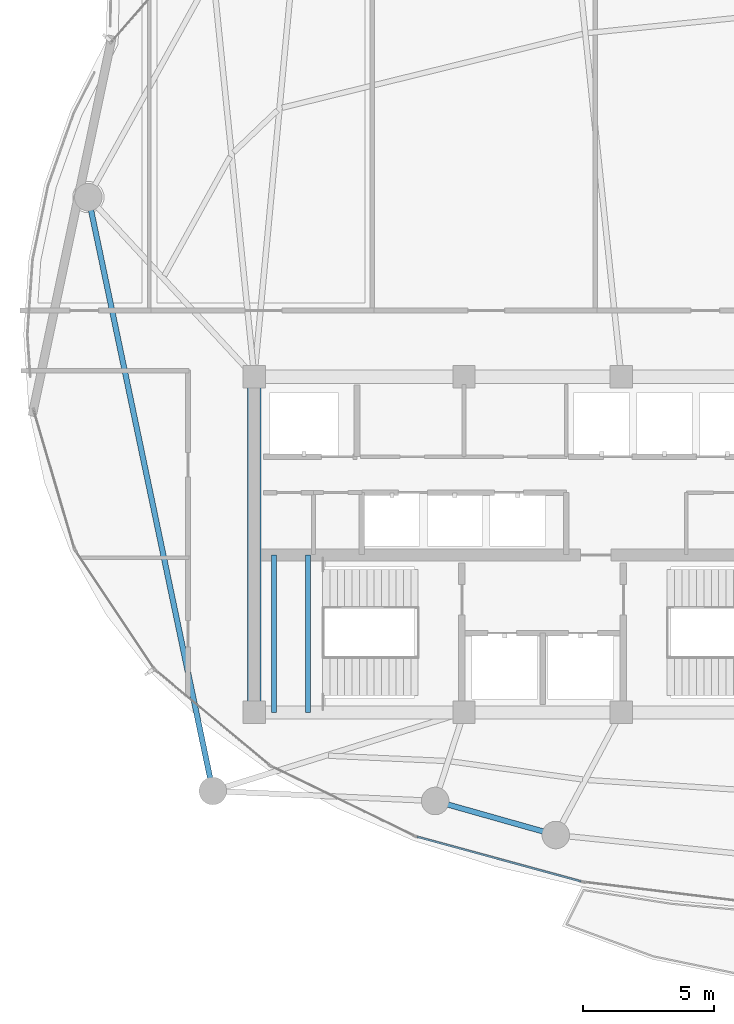
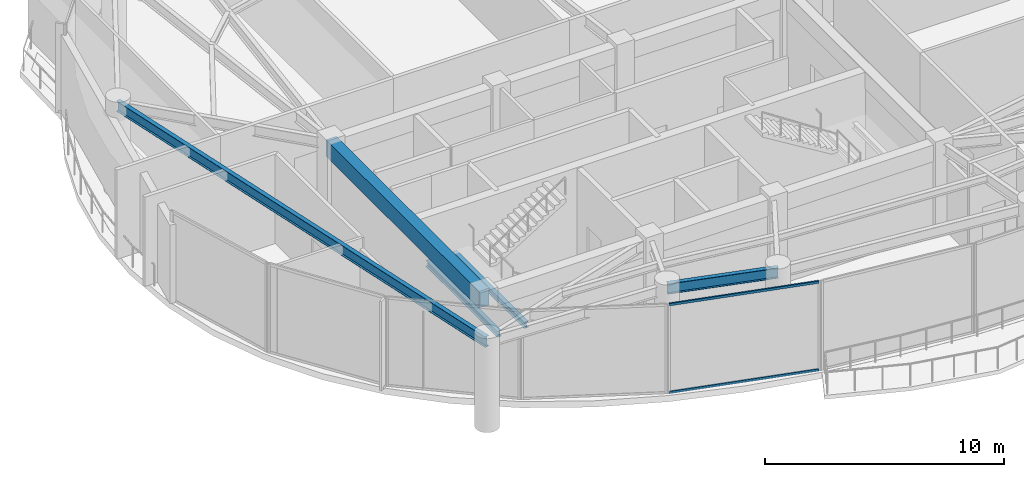
# One storey, part 4 of 28: 5 beams, 2 members, 1 element without a shape of its own.
"""IFC4 building model written with IfcOpenShell, lengths in metres."""

from ifc_helpers import new_model, si_unit, direction, frame, origin, origin_2d, place, context, subcontext, project, spatial, rectangle, hollow_rectangle, i_section, extrude, material, layer, layer_set, material_profile, profile_set, type_object, element, aggregate, save


model = new_model("IFC4")

# Units and contexts
model_context = context("Model", 3, precision=1e-05, world=origin(), true_north=direction((0.0, 1.0)))
body_context = subcontext(model_context, "Body", "Model", "MODEL_VIEW")
ifc_project = project(units=[si_unit("LENGTHUNIT", "METRE"), si_unit("AREAUNIT", "SQUARE_METRE"), si_unit("VOLUMEUNIT", "CUBIC_METRE"), si_unit("PLANEANGLEUNIT", "RADIAN"), si_unit("MASSUNIT", "GRAM", prefix="KILO")], contexts=[model_context])

# Site, building, storey
site_placement = place(None, origin())
site = spatial("IfcSite", under=ifc_project, at=site_placement, CompositionType="ELEMENT")
building_placement = place(site_placement, origin())
building = spatial("IfcBuilding", under=site, at=building_placement, Name="Kazevale Care Tower and Concert Hall", CompositionType="ELEMENT")
storey_placement = place(building_placement, frame((0.0, 0.0, 190.800048828125)))
storey = spatial("IfcBuildingStorey", under=building, at=storey_placement, Name="L50", CompositionType="ELEMENT", Elevation=190.800048828125)

# Curtain wall, members
ifc_material_1 = material(Name="Aluminium 6063-T6 and Low-E Glass", Category="aluminium")
ifc_layer = layer(ifc_material_1, 0.179931640625)
ifc_layer_set = layer_set([ifc_layer], Name="Aluminium 6063-T6 and Low-E Glass")
curtain_wall_type = type_object("IfcCurtainWallType", Name="Sheltered Concave Balcony Curtain Wall CW-5", PredefinedType="NOTDEFINED", material=ifc_layer_set)
curtain_wall_placement = place(storey_placement, origin())
curtain_wall = element("IfcCurtainWall", 1, at=curtain_wall_placement, inside=storey, type_object=curtain_wall_type, Name="cw:L50:f08", PredefinedType="NOTDEFINED")
ifc_material_2 = material(Name="Aluminium 6063-T6", Category="aluminium")
ifc_material_profile_1 = material_profile(ifc_material_2, hollow_rectangle(XDim=0.074951171875, YDim=0.1201171875, WallThickness=0.00390625, at=origin_2d()), Name="ALU75x120x4")
ifc_profile_set_1 = profile_set([ifc_material_profile_1], Name="Aluminium 6063-T6")
member_type = type_object("IfcMemberType", Name="CW-5 Transom ALU75x120x4", PredefinedType="USERDEFINED", material=ifc_profile_set_1)
member_1_placement = place(storey_placement, frame((34.458740234375, 17.15283203125, 0.037353515625), z_axis=(-0.964843890632, 0.262823641842, 0.0), x_axis=(-0.262823641842, -0.964843890632, 0.0)))
member_1 = element("IfcMember", 2, at=member_1_placement, type_object=member_type, Name="CW-5 transom 1.1", ObjectType="TRANSOM", PredefinedType="USERDEFINED", context=body_context, shape_type="SweptSolid", body=[
    extrude(hollow_rectangle(XDim=0.074951171875, YDim=0.1201171875, WallThickness=0.00390625, at=origin_2d()), origin(), (0.0, 0.0, 1.0), 6.469970703125),
])
member_2_placement = place(storey_placement, frame((34.458740234375, 17.15283203125, 4.5224609375), z_axis=(-0.964843890632, 0.262823641842, 0.0), x_axis=(-0.262823641842, -0.964843890632, 0.0)))
member_2 = element("IfcMember", 3, at=member_2_placement, type_object=member_type, Name="CW-5 transom 1.2", ObjectType="TRANSOM", PredefinedType="USERDEFINED", context=body_context, shape_type="SweptSolid", body=[
    extrude(hollow_rectangle(XDim=0.074951171875, YDim=0.1201171875, WallThickness=0.00390625, at=origin_2d()), origin(), (0.0, 0.0, 1.0), 6.469970703125),
])
aggregate(curtain_wall, [member_1, member_2])

# Beams
ifc_material_3 = material(Name="Concrete C60", Category="concrete")
ifc_material_profile_2 = material_profile(ifc_material_3, rectangle(XDim=0.5, YDim=0.85009765625, at=origin_2d()), Name="RC-B500x850")
ifc_profile_set_2 = profile_set([ifc_material_profile_2], Name="Concrete C60")
beam_type_1 = type_object("IfcBeamType", Name="Core Coupling Beam RC500x850", PredefinedType="LINTEL", material=ifc_profile_set_2)
beam_1_placement = place(storey_placement, frame((22.0, 36.39990234375, 4.135009765625), z_axis=(0.0, -1.0, 0.0), x_axis=(1.0, 0.0, 0.0)))
element("IfcBeam", 4, at=beam_1_placement, inside=storey, type_object=beam_type_1, Name="beam:L50:coretie:8", PredefinedType="LINTEL", context=body_context, shape_type="SweptSolid", body=[
    extrude(rectangle(XDim=0.5, YDim=0.85009765625, at=origin_2d()), origin(), (0.0, 0.0, 1.0), 12.7998046875),
])
ifc_material_4 = material(Name="Steel ASTM A572 Gr 50", Category="steel")
ifc_material_profile_3 = material_profile(ifc_material_4, i_section(OverallWidth=0.202880859375, OverallDepth=0.302978515625, WebThickness=0.007568359375, FlangeThickness=0.01318359375, at=origin_2d()), Name="W310x60")
ifc_profile_set_3 = profile_set([ifc_material_profile_3], Name="Steel ASTM A572 Gr 50")
beam_type_2 = type_object("IfcBeamType", Name="Stair & Balcony Trimmer W310x60", PredefinedType="BEAM", material=ifc_profile_set_3)
for number, where, z_axis, x_axis, name in (
    (5, (22.75, 23.60009765625, 2.04833984375), (0.0, 1.0, 0.0), (-1.0, 0.0, 0.0), "beam:L50:sttrim:ST1"),
    (6, (24.050048828125, 23.60009765625, 2.04833984375), (0.0, 1.0, 0.0), (-1.0, 0.0, 0.0), "beam:L50:sttrim:ST1b"),
):
    element("IfcBeam", number, at=place(storey_placement, frame(where, z_axis=z_axis, x_axis=x_axis)), inside=storey, type_object=beam_type_2, Name=name, PredefinedType="BEAM", context=body_context, shape_type="SweptSolid", body=[
        extrude(i_section(OverallWidth=0.202880859375, OverallDepth=0.302978515625, WebThickness=0.007568359375, FlangeThickness=0.01318359375, at=origin_2d()), origin(), (0.0, 0.0, 1.0), 6.0),
    ])
ifc_material_profile_4 = material_profile(ifc_material_4, i_section(OverallWidth=0.208984375, OverallDepth=0.532958984375, WebThickness=0.01025390625, FlangeThickness=0.015625, at=origin_2d()), Name="W530x92")
ifc_profile_set_4 = profile_set([ifc_material_profile_4], Name="Steel ASTM A572 Gr 50")
beam_type_3 = type_object("IfcBeamType", Name="Upper Ring Beam W530x92", PredefinedType="BEAM", material=ifc_profile_set_4)
beam_2_placement = place(storey_placement, frame((15.669921875, 43.25, 4.29345703125), z_axis=(0.205249071222, -0.978709772488, 0.0), x_axis=(0.978709772488, 0.205249071222, 0.0)))
element("IfcBeam", 7, at=beam_2_placement, inside=storey, type_object=beam_type_3, Name="beam:L50:ring:09", PredefinedType="BEAM", context=body_context, shape_type="SweptSolid", body=[
    extrude(i_section(OverallWidth=0.208984375, OverallDepth=0.532958984375, WebThickness=0.01025390625, FlangeThickness=0.015625, at=origin_2d()), origin(), (0.0, 0.0, 1.0), 23.142578125),
])
beam_3_placement = place(storey_placement, frame((28.89990234375, 20.219970703125, 4.29345703125), z_axis=(0.962308240836, -0.271961117846, 0.0), x_axis=(0.271961117846, 0.962308240836, 0.0)))
element("IfcBeam", 8, at=beam_3_placement, inside=storey, type_object=beam_type_3, Name="beam:L50:ring:11", PredefinedType="BEAM", context=body_context, shape_type="SweptSolid", body=[
    extrude(i_section(OverallWidth=0.208984375, OverallDepth=0.532958984375, WebThickness=0.01025390625, FlangeThickness=0.015625, at=origin_2d()), origin(), (0.0, 0.0, 1.0), 4.7802734375),
])

save(model, "model.ifc")
